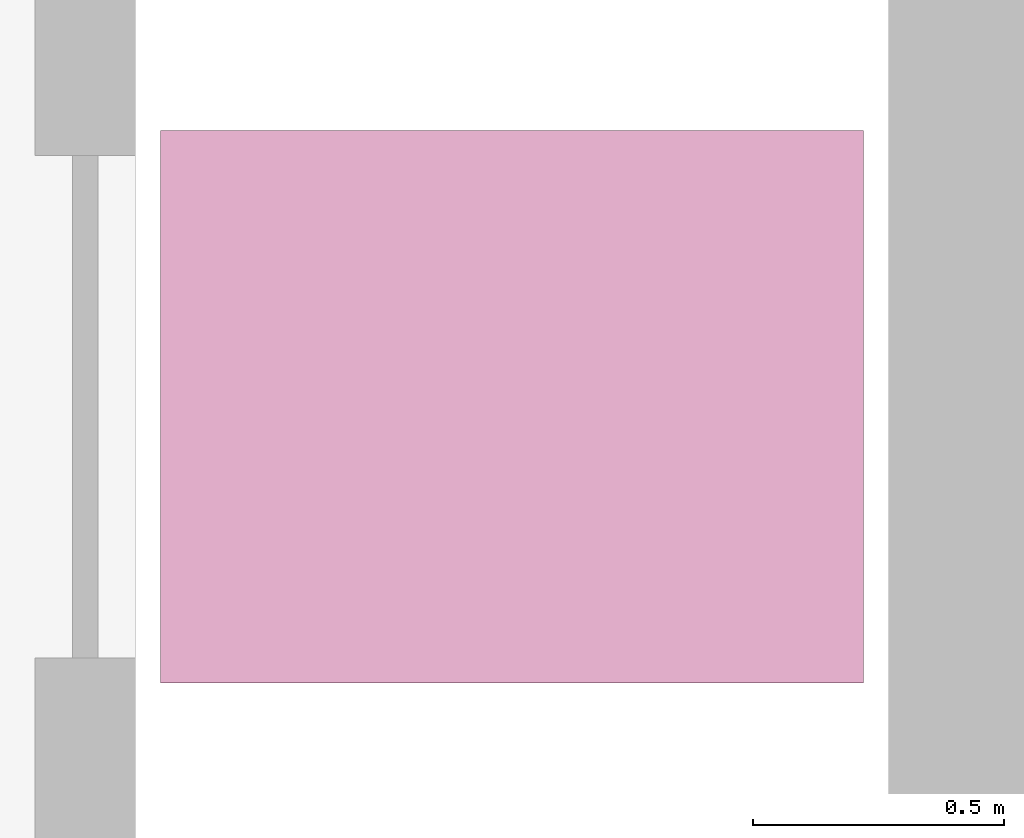
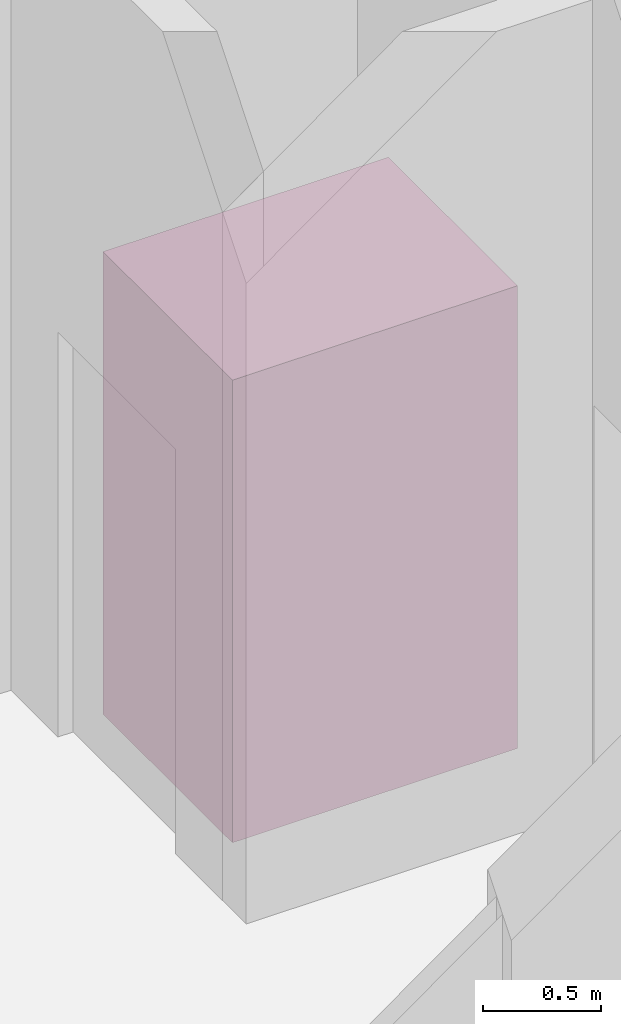
# One storey, part 4 of 4: 1 transport element.
"""IFC4 building model written with IfcOpenShell, lengths in metres."""

from ifc_helpers import new_model, si_unit, direction, frame, origin, origin_2d, place, context, subcontext, project, spatial, rectangle, extrude, material, type_object, element, save


model = new_model("IFC4")

# Units and contexts
model_context = context("Model", 3, precision=1e-05, world=origin(), true_north=direction((0.0, 1.0)))
body_context = subcontext(model_context, "Body", "Model", "MODEL_VIEW")
ifc_project = project(units=[si_unit("LENGTHUNIT", "METRE"), si_unit("AREAUNIT", "SQUARE_METRE"), si_unit("VOLUMEUNIT", "CUBIC_METRE"), si_unit("PLANEANGLEUNIT", "RADIAN"), si_unit("MASSUNIT", "GRAM", prefix="KILO")], contexts=[model_context])

# Site, building, storey
site_placement = place(None, origin())
site = spatial("IfcSite", under=ifc_project, at=site_placement, CompositionType="ELEMENT")
building_placement = place(site_placement, origin())
building = spatial("IfcBuilding", under=site, at=building_placement, Name="White Candle Pilgrim Tower", CompositionType="ELEMENT")
storey_placement = place(building_placement, frame((0.0, 0.0, 351.199951171875)))
storey = spatial("IfcBuildingStorey", under=building, at=storey_placement, Name="L82", CompositionType="ELEMENT", Elevation=351.199951171875)

# Transport element
ifc_material = material(Name="Stainless steel", Category="steel")
transport_element_type = type_object("IfcTransportElementType", Name="Passenger lift car ML1 1100 x 1400 630 kg", PredefinedType="ELEVATOR", material=ifc_material)
transport_element_placement = place(storey_placement, frame((79.75, 86.60009765625, 0.0), z_axis=(0.0, 0.0, 1.0), x_axis=(0.0, 1.0, 0.0)))
element("IfcTransportElement", 1, at=transport_element_placement, inside=storey, type_object=transport_element_type, Name="Crown plant access lift ML1", PredefinedType="ELEVATOR", context=body_context, shape_type="SweptSolid", body=[
    extrude(rectangle(XDim=1.10009765625, YDim=1.39990234375, at=origin_2d()), origin(), (0.0, 0.0, 1.0), 2.39990234375),
])

save(model, "model.ifc")
